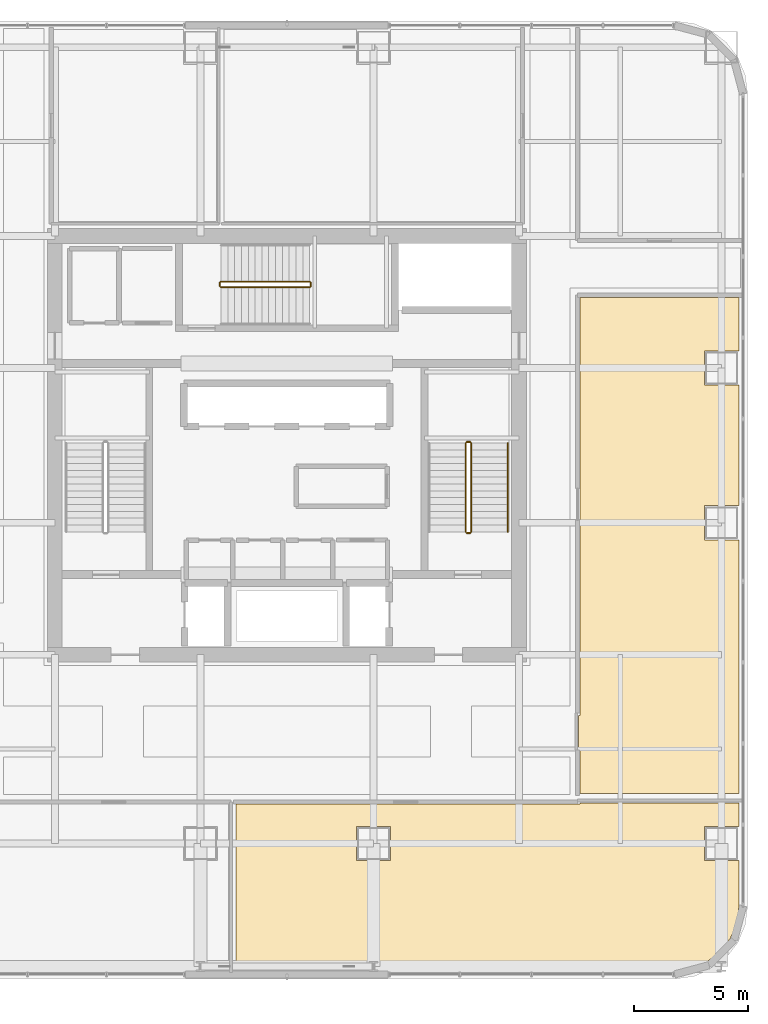
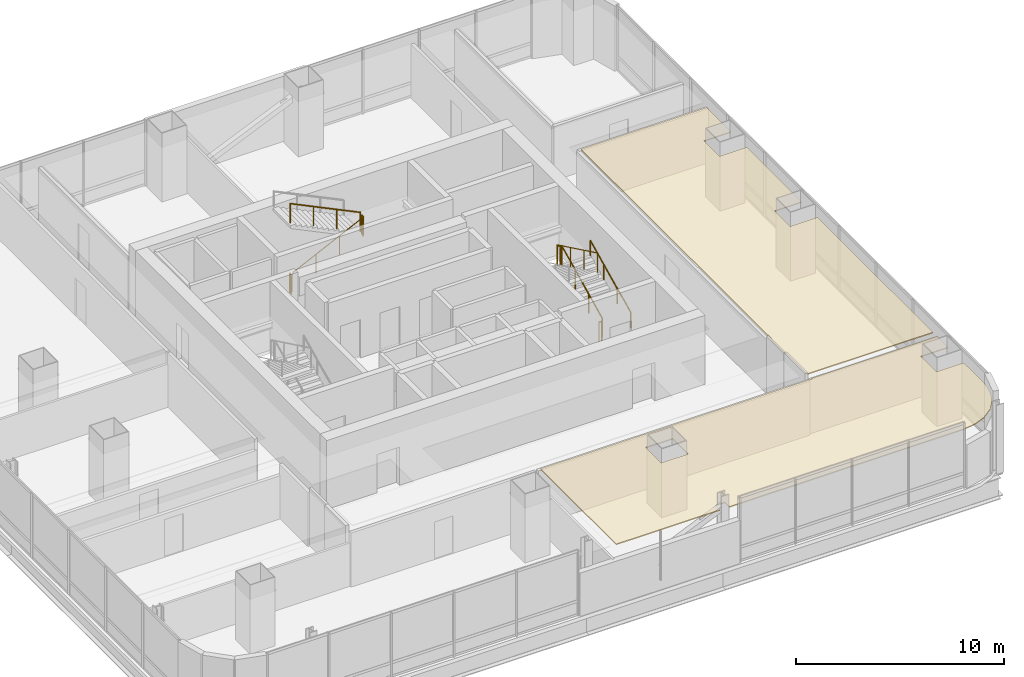
# One storey, part 35 of 38: 9 railings, 2 coverings.
"""IFC4 building model written with IfcOpenShell, lengths in metres."""

from ifc_helpers import new_model, si_unit, direction, frame, origin, origin_2d, place, context, subcontext, project, spatial, polyline, circle, outline, extrude, material, layer, layer_set, type_object, element, save


model = new_model("IFC4")

# Units and contexts
model_context = context("Model", 3, precision=1e-05, world=origin(), true_north=direction((0.0, 1.0)))
body_context = subcontext(model_context, "Body", "Model", "MODEL_VIEW")
ifc_project = project(units=[si_unit("LENGTHUNIT", "METRE"), si_unit("AREAUNIT", "SQUARE_METRE"), si_unit("VOLUMEUNIT", "CUBIC_METRE"), si_unit("PLANEANGLEUNIT", "RADIAN"), si_unit("MASSUNIT", "GRAM", prefix="KILO")], contexts=[model_context])

# Site, building, storey
site_placement = place(None, origin())
site = spatial("IfcSite", under=ifc_project, at=site_placement, CompositionType="ELEMENT")
building_placement = place(site_placement, origin())
building = spatial("IfcBuilding", under=site, at=building_placement, Name="Punatoya Terracotta Tower", CompositionType="ELEMENT")
storey_placement = place(building_placement, frame((0.0, 0.0, 188.39990234375)))
storey = spatial("IfcBuildingStorey", under=building, at=storey_placement, Name="L44", CompositionType="ELEMENT", Elevation=188.39990234375)

# Coverings
ifc_material_1 = material(Name="Acoustic Mineral Fibre Ceiling")
ifc_layer = layer(ifc_material_1, 0.06005859375)
ifc_layer_set = layer_set([ifc_layer], Name="Acoustic Mineral Fibre Ceiling")
covering_type = type_object("IfcCoveringType", Name="COV-CEIL-60", PredefinedType="CEILING", material=ifc_layer_set)
covering_1_placement = place(storey_placement, frame((0.0, 0.0, 3.22021484375)))
element("IfcCovering", 1, at=covering_1_placement, inside=storey, type_object=covering_type, Name="L44 Analytical Practice Office Acoustic Ceiling", PredefinedType="CEILING", context=body_context, shape_type="SweptSolid", body=[
    extrude(outline(polyline([(12.8701171875, -15.77001953125), (-2.239990234375, -15.77001953125), (-2.239990234375, -23.070068359375), (3.54541015625, -23.070068359375), (3.54541015625, -22.637451171875), (4.054443359375, -22.637451171875), (4.054443359375, -23.070068359375), (17.025146484375, -23.070068359375), (17.779052734375, -22.970703125), (18.458251953125, -22.689453125), (19.041748046875, -22.24169921875), (19.489501953125, -21.658203125), (19.770751953125, -20.97900390625), (19.8701171875, -20.22509765625), (19.8701171875, -18.25), (18.35009765625, -18.25), (18.35009765625, -16.75), (19.8701171875, -16.75), (19.8701171875, -15.7099609375), (12.8701171875, -15.7099609375), (12.8701171875, -15.77001953125)]), holes=[polyline([(4.550048828125, -16.75), (4.550048828125, -18.25), (3.050048828125, -18.25), (3.050048828125, -16.75), (4.550048828125, -16.75)])]), origin(), (0.0, 0.0, 1.0), 0.059814453125),
])
covering_2_placement = place(storey_placement, frame((0.0, 0.0, 3.22021484375)))
element("IfcCovering", 2, at=covering_2_placement, inside=storey, type_object=covering_type, Name="L44 Client Strategy Boardroom Acoustic Ceiling", PredefinedType="CEILING", context=body_context, shape_type="SweptSolid", body=[
    extrude(outline(polyline([(12.81005859375, -13.280029296875), (12.8701171875, -13.280029296875), (12.8701171875, -15.2900390625), (19.8701171875, -15.2900390625), (19.8701171875, -4.14990234375), (18.35009765625, -4.14990234375), (18.35009765625, -2.64990234375), (19.8701171875, -2.64990234375), (19.8701171875, 2.64990234375), (18.35009765625, 2.64990234375), (18.35009765625, 4.14990234375), (19.8701171875, 4.14990234375), (19.8701171875, 6.5), (12.8701171875, 6.5), (12.8701171875, -11.8701171875), (12.81005859375, -11.8701171875), (12.81005859375, -13.280029296875)])), origin(), (0.0, 0.0, 1.0), 0.059814453125),
])

# Railings
ifc_material_2 = material(Name="Steel S355", Category="steel")
railing_type_1 = type_object("IfcRailingType", Name="RLG-GRD-1150", PredefinedType="GUARDRAIL", material=ifc_material_2)
railing_1_placement = place(storey_placement, frame((8.10009765625, -3.800048828125, 0.144775390625)))
element("IfcRailing", 3, at=railing_1_placement, inside=storey, type_object=railing_type_1, Name="L44 ST-2 stair guard 1", PredefinedType="GUARDRAIL", context=body_context, shape_type="SweptSolid", body=[
    extrude(circle(Radius=0.02392578125, at=origin_2d()), frame((0.0, 0.0, 1.1259765625), z_axis=(0.0, 0.900773802044, 0.434288564841), x_axis=(-1.0, 0.0, 0.0)), (0.0, 0.0, 1.0), 4.329833984375),
    extrude(circle(Radius=0.02099609375, at=origin_2d()), origin(), (0.0, 0.0, 1.0), 1.101806640625),
    extrude(circle(Radius=0.02099609375, at=origin_2d()), frame((0.0, 1.300048828125, 0.626708984375)), (0.0, 0.0, 1.0), 1.101806640625),
    extrude(circle(Radius=0.02099609375, at=origin_2d()), frame((0.0, 2.60009765625, 1.253662109375)), (0.0, 0.0, 1.0), 1.101806640625),
    extrude(circle(Radius=0.02099609375, at=origin_2d()), frame((0.0, 3.900146484375, 1.88037109375)), (0.0, 0.0, 1.0), 1.101806640625),
])
railing_2_placement = place(storey_placement, frame((8.050048828125, 0.14990234375, 2.025146484375)))
element("IfcRailing", 4, at=railing_2_placement, inside=storey, type_object=railing_type_1, Name="L44 ST-2 stair guard 2", PredefinedType="GUARDRAIL", context=body_context, shape_type="SweptSolid", body=[
    extrude(circle(Radius=0.02392578125, at=origin_2d()), frame((0.0, 0.0, 1.1259765625), z_axis=(-1.0, 0.0, 0.0), x_axis=(0.0, -1.0, 0.0)), (0.0, 0.0, 1.0), 0.150146484375),
    extrude(circle(Radius=0.02099609375, at=origin_2d()), origin(), (0.0, 0.0, 1.0), 1.101806640625),
    extrude(circle(Radius=0.02099609375, at=origin_2d()), frame((-0.150146484375, 0.0, 0.0)), (0.0, 0.0, 1.0), 1.101806640625),
])
railing_3_placement = place(storey_placement, frame((7.85009765625, 0.10009765625, 2.169677734375)))
element("IfcRailing", 5, at=railing_3_placement, inside=storey, type_object=railing_type_1, Name="L44 ST-2 stair guard 3", PredefinedType="GUARDRAIL", context=body_context, shape_type="SweptSolid", body=[
    extrude(circle(Radius=0.02392578125, at=origin_2d()), frame((0.0, 0.0, 1.1259765625), z_axis=(0.0, -0.900773802044, 0.434288564841), x_axis=(1.0, 0.0, 0.0)), (0.0, 0.0, 1.0), 4.329833984375),
    extrude(circle(Radius=0.02099609375, at=origin_2d()), origin(), (0.0, 0.0, 1.0), 1.101806640625),
    extrude(circle(Radius=0.02099609375, at=origin_2d()), frame((0.0, -1.300048828125, 0.626708984375)), (0.0, 0.0, 1.0), 1.101806640625),
    extrude(circle(Radius=0.02099609375, at=origin_2d()), frame((0.0, -2.60009765625, 1.253662109375)), (0.0, 0.0, 1.0), 1.101806640625),
    extrude(circle(Radius=0.02099609375, at=origin_2d()), frame((0.0, -3.900146484375, 1.88037109375)), (0.0, 0.0, 1.0), 1.101806640625),
])
railing_4_placement = place(storey_placement, frame((8.050048828125, -3.85009765625, 0.0)))
element("IfcRailing", 6, at=railing_4_placement, inside=storey, type_object=railing_type_1, Name="L44 ST-2 stair guard 4", PredefinedType="GUARDRAIL", context=body_context, shape_type="SweptSolid", body=[
    extrude(circle(Radius=0.02392578125, at=origin_2d()), frame((0.0, 0.0, 1.1259765625), z_axis=(-1.0, 0.0, 0.0), x_axis=(0.0, -1.0, 0.0)), (0.0, 0.0, 1.0), 0.150146484375),
    extrude(circle(Radius=0.02099609375, at=origin_2d()), origin(), (0.0, 0.0, 1.0), 1.101806640625),
    extrude(circle(Radius=0.02099609375, at=origin_2d()), frame((-0.150146484375, 0.0, 0.0)), (0.0, 0.0, 1.0), 1.101806640625),
])
railing_5_placement = place(storey_placement, frame((-2.89990234375, 6.949951171875, 0.144775390625)))
element("IfcRailing", 7, at=railing_5_placement, inside=storey, type_object=railing_type_1, Name="L44 ST-3 stair guard 1", PredefinedType="GUARDRAIL", context=body_context, shape_type="SweptSolid", body=[
    extrude(circle(Radius=0.02392578125, at=origin_2d()), frame((0.0, 0.0, 1.1259765625), z_axis=(0.900763166376, 0.0, 0.434310623978), x_axis=(0.0, 1.0, 0.0)), (0.0, 0.0, 1.0), 4.32958984375),
    extrude(circle(Radius=0.02099609375, at=origin_2d()), origin(), (0.0, 0.0, 1.0), 1.101806640625),
    extrude(circle(Radius=0.02099609375, at=origin_2d()), frame((1.300048828125, 0.0, 0.626708984375)), (0.0, 0.0, 1.0), 1.101806640625),
    extrude(circle(Radius=0.02099609375, at=origin_2d()), frame((2.599853515625, 0.0, 1.253662109375)), (0.0, 0.0, 1.0), 1.101806640625),
    extrude(circle(Radius=0.02099609375, at=origin_2d()), frame((3.89990234375, 0.0, 1.88037109375)), (0.0, 0.0, 1.0), 1.101806640625),
])
railing_6_placement = place(storey_placement, frame((1.050048828125, 7.0, 2.025146484375)))
element("IfcRailing", 8, at=railing_6_placement, inside=storey, type_object=railing_type_1, Name="L44 ST-3 stair guard 2", PredefinedType="GUARDRAIL", context=body_context, shape_type="SweptSolid", body=[
    extrude(circle(Radius=0.02392578125, at=origin_2d()), frame((0.0, 0.0, 1.1259765625), z_axis=(0.0, 1.0, 0.0), x_axis=(-1.0, 0.0, 0.0)), (0.0, 0.0, 1.0), 0.14990234375),
    extrude(circle(Radius=0.02099609375, at=origin_2d()), origin(), (0.0, 0.0, 1.0), 1.101806640625),
    extrude(circle(Radius=0.02099609375, at=origin_2d()), frame((0.0, 0.14990234375, 0.0)), (0.0, 0.0, 1.0), 1.101806640625),
])
railing_7_placement = place(storey_placement, frame((1.0, 7.199951171875, 2.169677734375)))
element("IfcRailing", 9, at=railing_7_placement, inside=storey, type_object=railing_type_1, Name="L44 ST-3 stair guard 3", PredefinedType="GUARDRAIL", context=body_context, shape_type="SweptSolid", body=[
    extrude(circle(Radius=0.02392578125, at=origin_2d()), frame((0.0, 0.0, 1.1259765625), z_axis=(-0.900763166376, 0.0, 0.434310623978), x_axis=(0.0, -1.0, 0.0)), (0.0, 0.0, 1.0), 4.32958984375),
    extrude(circle(Radius=0.02099609375, at=origin_2d()), origin(), (0.0, 0.0, 1.0), 1.101806640625),
    extrude(circle(Radius=0.02099609375, at=origin_2d()), frame((-1.300048828125, 0.0, 0.626708984375)), (0.0, 0.0, 1.0), 1.101806640625),
    extrude(circle(Radius=0.02099609375, at=origin_2d()), frame((-2.599853515625, 0.0, 1.253662109375)), (0.0, 0.0, 1.0), 1.101806640625),
    extrude(circle(Radius=0.02099609375, at=origin_2d()), frame((-3.89990234375, 0.0, 1.88037109375)), (0.0, 0.0, 1.0), 1.101806640625),
])
railing_8_placement = place(storey_placement, frame((-2.949951171875, 7.0, 0.0)))
element("IfcRailing", 10, at=railing_8_placement, inside=storey, type_object=railing_type_1, Name="L44 ST-3 stair guard 4", PredefinedType="GUARDRAIL", context=body_context, shape_type="SweptSolid", body=[
    extrude(circle(Radius=0.02392578125, at=origin_2d()), frame((0.0, 0.0, 1.1259765625), z_axis=(0.0, 1.0, 0.0), x_axis=(-1.0, 0.0, 0.0)), (0.0, 0.0, 1.0), 0.14990234375),
    extrude(circle(Radius=0.02099609375, at=origin_2d()), origin(), (0.0, 0.0, 1.0), 1.101806640625),
    extrude(circle(Radius=0.02099609375, at=origin_2d()), frame((0.0, 0.14990234375, 0.0)), (0.0, 0.0, 1.0), 1.101806640625),
])
railing_type_2 = type_object("IfcRailingType", Name="RLG-HND-900", PredefinedType="HANDRAIL", material=ifc_material_2)
railing_9_placement = place(storey_placement, frame((9.699951171875, -3.800048828125, 0.144775390625)))
element("IfcRailing", 11, at=railing_9_placement, inside=storey, type_object=railing_type_2, Name="L44 ST-2 stair handrail 1", PredefinedType="HANDRAIL", context=body_context, shape_type="SweptSolid", body=[
    extrude(circle(Radius=0.02392578125, at=origin_2d()), frame((0.0, 0.0, 0.8759765625), z_axis=(0.0, 0.900773802044, 0.434288564841), x_axis=(-1.0, 0.0, 0.0)), (0.0, 0.0, 1.0), 4.329833984375),
    extrude(circle(Radius=0.02099609375, at=origin_2d()), origin(), (0.0, 0.0, 1.0), 0.851806640625),
    extrude(circle(Radius=0.02099609375, at=origin_2d()), frame((0.0, 1.300048828125, 0.626708984375)), (0.0, 0.0, 1.0), 0.851806640625),
    extrude(circle(Radius=0.02099609375, at=origin_2d()), frame((0.0, 2.60009765625, 1.253662109375)), (0.0, 0.0, 1.0), 0.851806640625),
    extrude(circle(Radius=0.02099609375, at=origin_2d()), frame((0.0, 3.900146484375, 1.88037109375)), (0.0, 0.0, 1.0), 0.851806640625),
])

save(model, "model.ifc")
